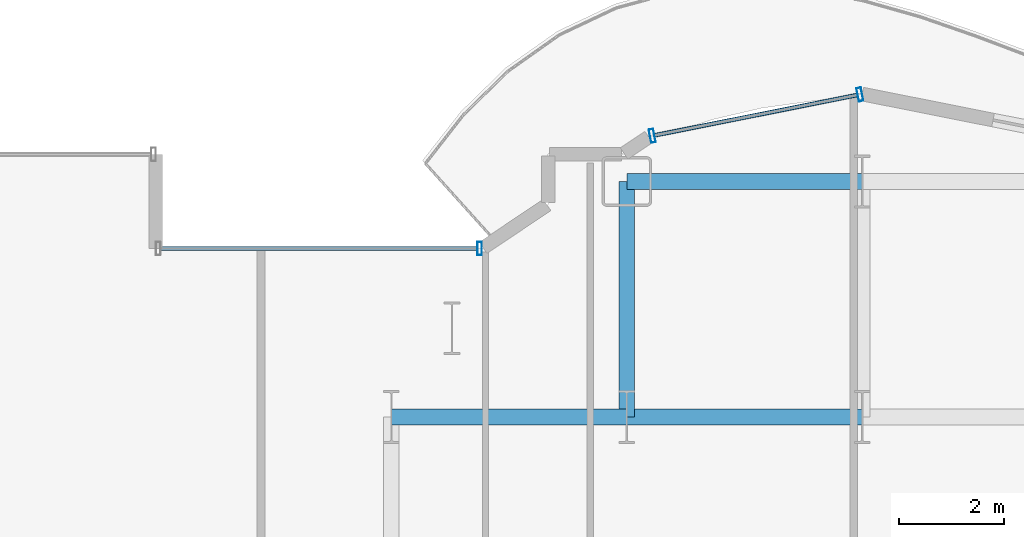
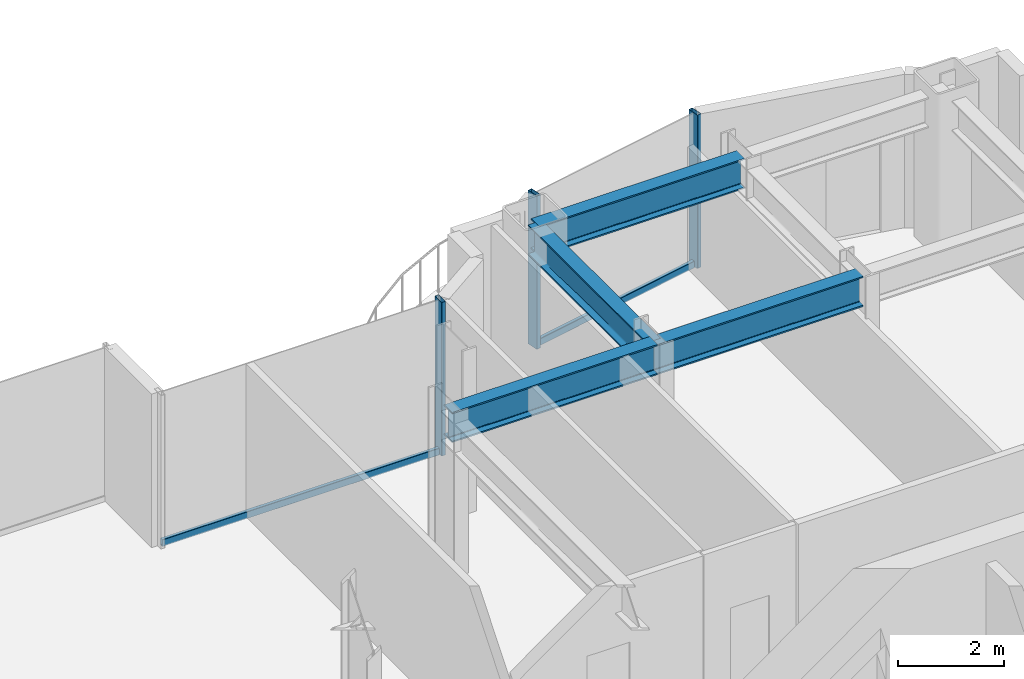
# One storey, part 13 of 29: 5 members, 4 beams, 2 elements without a shape of their own.
"""IFC4 building model written with IfcOpenShell, lengths in metres."""

import ifcopenshell
import ifcopenshell.guid

model = None  # the IFC model being written
_history = None  # IfcOwnerHistory: only IFC2X3 demands one
_inside = {}  # id of a spatial element -> (the spatial element, [elements in it])
_under = {}  # id of a project, library or spatial element -> (it, [spatial elements below it])
_declared = {}  # id of a project -> (the project, [libraries it declares])
_typed = {}  # id of a type object -> (the type object, [elements of that type])
_made_of = {}  # id of a material, layer set ... -> (it, [elements and type objects made of it])


def new_model(schema):
    """Start an empty IFC model of exactly this schema.

    Asked for "IFC4X3", IfcOpenShell would pick the latest addendum, in which some entities
    have other attributes; the version numbers below select the first issue.
    IFC2X3 requires an IfcOwnerHistory on every rooted entity: one is made here for all.
    """
    global model, _history
    if schema == "IFC4X3":
        model = ifcopenshell.file(schema_version=(4, 3, 0, 0))
    else:
        model = ifcopenshell.file(schema=schema)
    _inside.clear()
    _under.clear()
    _declared.clear()
    _typed.clear()
    _made_of.clear()
    _history = None
    if model.schema == "IFC2X3":
        org = make("IfcOrganization", Name="unknown")
        user = make(
            "IfcPersonAndOrganization",
            ThePerson=make("IfcPerson", FamilyName="unknown"),
            TheOrganization=org,
        )
        app = make(
            "IfcApplication",
            ApplicationDeveloper=org,
            Version="unknown",
            ApplicationFullName="unknown",
            ApplicationIdentifier="unknown",
        )
        _history = make(
            "IfcOwnerHistory",
            OwningUser=user,
            OwningApplication=app,
            ChangeAction="ADDED",
            CreationDate=0,
        )
    return model


def make(cls, **values):
    """One entity of the class cls with the attributes given. An attribute that is None is left unset."""
    return model.create_entity(
        cls, **{name: value for name, value in values.items() if value is not None}
    )


def rooted(cls, **values):
    """An entity with a GlobalId (a new one), such as an element, a storey or a relation."""
    return make(cls, GlobalId=ifcopenshell.guid.new(), OwnerHistory=_history, **values)


def si_unit(unit_type, name, prefix=None):
    """IfcSIUnit, for example si_unit("LENGTHUNIT", "METRE", prefix="MILLI")."""
    return make("IfcSIUnit", UnitType=unit_type, Prefix=prefix, Name=name)


def assignment(units):
    """IfcUnitAssignment: the units of a project."""
    return None if units is None else make("IfcUnitAssignment", Units=units)


def point(xyz):
    """IfcCartesianPoint."""
    return None if xyz is None else make("IfcCartesianPoint", Coordinates=xyz)


def direction(xyz):
    """IfcDirection."""
    return None if xyz is None else make("IfcDirection", DirectionRatios=xyz)


def frame(location, z_axis=None, x_axis=None):
    """IfcAxis2Placement3D, a coordinate frame: its origin and axes. An axis left out is left unset."""
    return make(
        "IfcAxis2Placement3D",
        Location=point(location),
        Axis=direction(z_axis),
        RefDirection=direction(x_axis),
    )


def frame_2d(location, x_axis=None):
    """IfcAxis2Placement2D, a coordinate frame in the plane: its origin and x axis."""
    return make(
        "IfcAxis2Placement2D", Location=point(location), RefDirection=direction(x_axis)
    )


def origin():
    """The frame at (0, 0, 0) with its axes left unset."""
    return frame((0.0, 0.0, 0.0))


def origin_2d():
    """The frame at (0, 0) in the plane with its x axis left unset."""
    return frame_2d((0.0, 0.0))


def place(relative_to, where):
    """IfcLocalPlacement: puts the frame where relative to a parent placement (None: the world)."""
    return make(
        "IfcLocalPlacement", PlacementRelTo=relative_to, RelativePlacement=where
    )


def context(
    kind, dimensions, precision=None, world=None, true_north=None, identifier=None
):
    """IfcGeometricRepresentationContext, for example the 3D "Model" context."""
    return make(
        "IfcGeometricRepresentationContext",
        ContextIdentifier=identifier,
        ContextType=kind,
        CoordinateSpaceDimension=dimensions,
        Precision=precision,
        WorldCoordinateSystem=world,
        TrueNorth=true_north,
    )


def subcontext(parent, identifier, kind, view, scale=None):
    """IfcGeometricRepresentationSubContext, for example "Body" below "Model"."""
    return make(
        "IfcGeometricRepresentationSubContext",
        ContextIdentifier=identifier,
        ContextType=kind,
        ParentContext=parent,
        TargetScale=scale,
        TargetView=view,
    )


def project(units=None, contexts=None):
    """IfcProject with its units and contexts."""
    return rooted(
        "IfcProject",
        Name="project",
        RepresentationContexts=contexts,
        UnitsInContext=assignment(units),
    )


def spatial(cls, under=None, at=None, **own):
    """A site, building, storey or space (cls), placed at a placement, below another one or the project."""
    s = rooted(cls, ObjectPlacement=at, **own)
    if under is not None:
        _under.setdefault(under.id(), (under, []))[1].append(s)
    return s


def profile(cls, at=None, kind="AREA", **sizes):
    """A parametric profile (cls). Its sizes go by their IFC names, for example OverallWidth=200.0."""
    return make(cls, ProfileType=kind, Position=at, **sizes)


def hollow_rectangle(**sizes):
    """IfcRectangleHollowProfileDef."""
    return profile("IfcRectangleHollowProfileDef", **sizes)


def i_section(**sizes):
    """IfcIShapeProfileDef."""
    return profile("IfcIShapeProfileDef", **sizes)


def extrude(swept, where, along, depth):
    """IfcExtrudedAreaSolid: the profile swept, set in the frame where, extruded along a direction by depth."""
    return make(
        "IfcExtrudedAreaSolid",
        SweptArea=swept,
        Position=where,
        ExtrudedDirection=direction(along),
        Depth=depth,
    )


def shape(context_of_items, identifier, shape_type, items):
    """IfcShapeRepresentation: the items that make up one representation, for example the "Body"."""
    return make(
        "IfcShapeRepresentation",
        ContextOfItems=context_of_items,
        RepresentationIdentifier=identifier,
        RepresentationType=shape_type,
        Items=items,
    )


def source(mapping_origin, context_of_items, identifier, shape_type, items):
    """IfcRepresentationMap: a shape defined once, which mapped items show again and again."""
    return make(
        "IfcRepresentationMap",
        MappingOrigin=mapping_origin,
        MappedRepresentation=shape(context_of_items, identifier, shape_type, items),
    )


def transform(
    local_origin,
    x_axis=None,
    y_axis=None,
    z_axis=None,
    scale=None,
    scale2=None,
    scale3=None,
    uniform=True,
):
    """IfcCartesianTransformationOperator3D, or its non-uniform kind. x_axis, y_axis, z_axis: its Axis1, 2, 3."""
    if uniform:
        return make(
            "IfcCartesianTransformationOperator3D",
            Axis1=direction(x_axis),
            Axis2=direction(y_axis),
            LocalOrigin=point(local_origin),
            Scale=scale,
            Axis3=direction(z_axis),
        )
    return make(
        "IfcCartesianTransformationOperator3DnonUniform",
        Axis1=direction(x_axis),
        Axis2=direction(y_axis),
        LocalOrigin=point(local_origin),
        Scale=scale,
        Axis3=direction(z_axis),
        Scale2=scale2,
        Scale3=scale3,
    )


def mapped(mapping_source, mapping_target):
    """IfcMappedItem: shows the shape of a source again, moved by a transform."""
    return make(
        "IfcMappedItem", MappingSource=mapping_source, MappingTarget=mapping_target
    )


def material(Name=None, Category=None):
    """IfcMaterial."""
    return make("IfcMaterial", Name=Name, Category=Category)


def layer(
    of_material, thickness, ventilated=None, Name=None, Category=None, Priority=None
):
    """IfcMaterialLayer: one layer of a wall or slab, of a material (None: an air gap)."""
    return make(
        "IfcMaterialLayer",
        Material=of_material,
        LayerThickness=thickness,
        IsVentilated=ventilated,
        Name=Name,
        Category=Category,
        Priority=Priority,
    )


def layer_set(layers, Name=None):
    """IfcMaterialLayerSet."""
    return make("IfcMaterialLayerSet", MaterialLayers=layers, LayerSetName=Name)


def material_profile(
    of_material, cross_section, Name=None, Category=None, Priority=None
):
    """IfcMaterialProfile: a cross section and its material."""
    return make(
        "IfcMaterialProfile",
        Name=Name,
        Material=of_material,
        Profile=cross_section,
        Priority=Priority,
        Category=Category,
    )


def profile_set(profiles, Name=None, composite=None):
    """IfcMaterialProfileSet."""
    return make(
        "IfcMaterialProfileSet",
        Name=Name,
        MaterialProfiles=profiles,
        CompositeProfile=composite,
    )


def made_of(thing, what):
    """Note that an element or type object is made of a material, layer set ...; save() writes the relation."""
    if what is not None:
        _made_of.setdefault(what.id(), (what, []))[1].append(thing)
    return thing


def type_object(cls, material=None, **own):
    """A type object (cls), such as IfcWallType, which elements share."""
    return made_of(rooted(cls, **own), material)


def element(
    cls,
    number,
    at=None,
    inside=None,
    cuts=None,
    type_object=None,
    material=None,
    context=None,
    identifier="Body",
    shape_type=None,
    held_by="IfcProductDefinitionShape",
    body=None,
    shapes=None,
    **own,
):
    """One element of the class cls, such as IfcWall. Its Tag is "e" and its number.

    at: its placement. inside: the storey or other place that contains it. cuts: it is an
    opening in that element (IfcRelVoidsElement). A single representation is given by context,
    identifier, shape_type and body (its items); several are given by shapes. held_by: the class
    of the entity that holds the representations. save() writes the other relations.
    """
    e = rooted(cls, Tag="e%d" % number, ObjectPlacement=at, **own)
    if body is not None:
        shapes = [shape(context, identifier, shape_type, body)]
    if shapes is not None:
        e.Representation = make(held_by, Representations=shapes)
    if inside is not None:
        _inside.setdefault(inside.id(), (inside, []))[1].append(e)
    if cuts is not None:
        rooted(
            "IfcRelVoidsElement", RelatingBuildingElement=cuts, RelatedOpeningElement=e
        )
    if type_object is not None:
        _typed.setdefault(type_object.id(), (type_object, []))[1].append(e)
    return made_of(e, material)


def aggregate(whole, parts):
    """IfcRelAggregates: a whole, such as a stair, and the parts it consists of."""
    return rooted("IfcRelAggregates", RelatingObject=whole, RelatedObjects=parts)


def save(model, path):
    """Write the relations noted so far, then the file.

    IfcRelAggregates (storeys below a building ...), IfcRelContainedInSpatialStructure (elements
    in a storey), IfcRelDefinesByType, IfcRelAssociatesMaterial and IfcRelDeclares: one each for
    every whole, place, type object, material and project.
    """
    for whole, parts in _under.values():
        aggregate(whole, parts)
    for where, things in _inside.values():
        rooted(
            "IfcRelContainedInSpatialStructure",
            RelatedElements=things,
            RelatingStructure=where,
        )
    for kind, things in _typed.values():
        rooted("IfcRelDefinesByType", RelatedObjects=things, RelatingType=kind)
    for what, things in _made_of.values():
        rooted("IfcRelAssociatesMaterial", RelatedObjects=things, RelatingMaterial=what)
    for by, libraries in _declared.values():
        rooted("IfcRelDeclares", RelatingContext=by, RelatedDefinitions=libraries)
    model.write(path)


model = new_model("IFC4")

# Units and contexts
model_context = context("Model", 3, precision=1e-05, world=origin(), true_north=direction((0.0, 1.0)))
body_context = subcontext(model_context, "Body", "Model", "MODEL_VIEW")
ifc_project = project(units=[si_unit("LENGTHUNIT", "METRE"), si_unit("AREAUNIT", "SQUARE_METRE"), si_unit("VOLUMEUNIT", "CUBIC_METRE"), si_unit("PLANEANGLEUNIT", "RADIAN"), si_unit("MASSUNIT", "GRAM", prefix="KILO")], contexts=[model_context])

# Site, building, storey
site_placement = place(None, origin())
site = spatial("IfcSite", under=ifc_project, at=site_placement, CompositionType="ELEMENT")
building_placement = place(site_placement, origin())
building = spatial("IfcBuilding", under=site, at=building_placement, Name="Nefas-Gora Pilgrimage Tower", CompositionType="ELEMENT")
storey_placement = place(building_placement, frame((0.0, 0.0, 90.800048828125)))
storey = spatial("IfcBuildingStorey", under=building, at=storey_placement, Name="L21", CompositionType="ELEMENT", Elevation=90.800048828125)

# Beams
ifc_material_1 = material(Name="Steel S355", Category="steel")
ifc_material_profile_1 = material_profile(ifc_material_1, i_section(OverallWidth=0.300048828125, OverallDepth=0.699951171875, WebThickness=0.01708984375, FlangeThickness=0.031982421875, FilletRadius=0.027099609375, at=origin_2d()), Name="HEB 700")
ifc_profile_set_1 = profile_set([ifc_material_profile_1], Name="Steel S355")
beam_type = type_object("IfcBeamType", Name="BM-GIR-HEB700", PredefinedType="BEAM", material=ifc_profile_set_1)
shared_shape_1 = source(origin(), body_context, "Body", "SweptSolid", [
    extrude(i_section(OverallWidth=0.300048828125, OverallDepth=0.699951171875, WebThickness=0.01708984375, FlangeThickness=0.031982421875, FilletRadius=0.027099609375, at=origin_2d()), origin(), (0.0, 0.0, 1.0), 4.5),
])
for number, where, z_axis, x_axis, name in (
    (1, (-11.25, 18.0, 3.199951171875), (1.0, 0.0, 0.0), (0.0, 1.0, 0.0), "L21 G-02 beam"),
    (2, (-6.75, 18.0, 3.199951171875), (0.0, 1.0, 0.0), (-1.0, 0.0, 0.0), "L21 G-02 beam"),
    (3, (-6.75, 18.0, 3.199951171875), (1.0, 0.0, 0.0), (0.0, 1.0, 0.0), "L21 G-02 beam"),
    (4, (-6.75, 22.5, 3.199951171875), (1.0, 0.0, 0.0), (0.0, 1.0, 0.0), "L21 G-02 beam"),
):
    element("IfcBeam", number, at=place(storey_placement, frame(where, z_axis=z_axis, x_axis=x_axis)), inside=storey, type_object=beam_type, Name=name, PredefinedType="BEAM", context=body_context, shape_type="MappedRepresentation", body=[
        mapped(shared_shape_1, transform((0.0, 0.0, 0.0), x_axis=(1.0, 0.0, 0.0), y_axis=(0.0, 1.0, 0.0), z_axis=(0.0, 0.0, 1.0), scale=1.0)),
    ])

# Curtain wall, members
ifc_material_2 = material(Name="Dark ceramic-fritted solar-control aluminium-glass curtain wall", Category="aluminium")
ifc_layer = layer(ifc_material_2, 0.219970703125)
ifc_layer_set = layer_set([ifc_layer], Name="Dark ceramic-fritted solar-control aluminium-glass curtain wall")
curtain_wall_type = type_object("IfcCurtainWallType", Name="CW-SYS-5", PredefinedType="NOTDEFINED", material=ifc_layer_set)
curtain_wall_1_placement = place(storey_placement, origin())
curtain_wall_1 = element("IfcCurtainWall", 5, at=curtain_wall_1_placement, inside=storey, type_object=curtain_wall_type, Name="L21 Unitised Curtain Wall CW5", PredefinedType="NOTDEFINED")
ifc_material_3 = material(Name="Anodised architectural aluminium", Category="aluminium")
ifc_material_profile_2 = material_profile(ifc_material_3, hollow_rectangle(XDim=0.090087890625, YDim=0.260009765625, WallThickness=0.006103515625, InnerFilletRadius=0.006103515625, OuterFilletRadius=0.011962890625, at=origin_2d()), Name="ALU MULLION 90x260")
ifc_profile_set_2 = profile_set([ifc_material_profile_2], Name="Anodised architectural aluminium")
member_type_1 = type_object("IfcMemberType", Name="CWM-MUL-5", PredefinedType="MULLION", material=ifc_profile_set_2)
shared_shape_2 = source(origin(), body_context, "Body", "SweptSolid", [
    extrude(hollow_rectangle(XDim=0.090087890625, YDim=0.260009765625, WallThickness=0.006103515625, InnerFilletRadius=0.006103515625, OuterFilletRadius=0.011962890625, at=origin_2d()), origin(), (0.0, 0.0, 1.0), 3.550048828125),
])
member_1_placement = place(storey_placement, frame((-2.294189453125, 24.16357421875, 0.0), z_axis=(0.0, 0.0, 1.0), x_axis=(-0.980782896852, -0.195102304554, 0.0)))
member_1 = element("IfcMember", 6, at=member_1_placement, type_object=member_type_1, Name="CW5 Mullion 1", PredefinedType="MULLION", context=body_context, shape_type="MappedRepresentation", body=[
    mapped(shared_shape_2, transform((0.0, 0.0, 0.0), x_axis=(1.0, 0.0, 0.0), y_axis=(0.0, 1.0, 0.0), z_axis=(0.0, 0.0, 1.0), scale=1.0)),
])
member_2_placement = place(storey_placement, frame((-6.26318359375, 23.3740234375, 0.0), z_axis=(0.0, 0.0, 1.0), x_axis=(-0.980782896852, -0.195102304554, 0.0)))
member_2 = element("IfcMember", 7, at=member_2_placement, type_object=member_type_1, Name="CW5 Mullion 2", PredefinedType="MULLION", context=body_context, shape_type="MappedRepresentation", body=[
    mapped(shared_shape_2, transform((0.0, 0.0, 0.0), x_axis=(1.0, 0.0, 0.0), y_axis=(0.0, 1.0, 0.0), z_axis=(0.0, 0.0, 1.0), scale=1.0)),
])

curtain_wall_2_placement = place(storey_placement, origin())
curtain_wall_2 = element("IfcCurtainWall", 8, at=curtain_wall_2_placement, inside=storey, type_object=curtain_wall_type, Name="L21 Unitised Curtain Wall CW5", PredefinedType="NOTDEFINED")
member_3_placement = place(storey_placement, frame((-9.56298828125, 21.219970703125, 0.0), z_axis=(0.0, 0.0, 1.0), x_axis=(-1.0, 0.0, 0.0)))
member_3 = element("IfcMember", 9, at=member_3_placement, type_object=member_type_1, Name="CW5 Mullion 1", PredefinedType="MULLION", context=body_context, shape_type="MappedRepresentation", body=[
    mapped(shared_shape_2, transform((0.0, 0.0, 0.0), x_axis=(1.0, 0.0, 0.0), y_axis=(0.0, 1.0, 0.0), z_axis=(0.0, 0.0, 1.0), scale=1.0)),
])
ifc_material_profile_3 = material_profile(ifc_material_3, hollow_rectangle(XDim=0.080078125, YDim=0.159912109375, WallThickness=0.00439453125, InnerFilletRadius=0.00439453125, OuterFilletRadius=0.009033203125, at=origin_2d()), Name="ALU TRANSOM 80x160")
ifc_profile_set_3 = profile_set([ifc_material_profile_3], Name="Anodised architectural aluminium")
member_type_2 = type_object("IfcMemberType", Name="CWM-TRN-5", PredefinedType="USERDEFINED", material=ifc_profile_set_3)
shared_shape_3 = source(origin(), body_context, "Body", "SweptSolid", [
    extrude(hollow_rectangle(XDim=0.080078125, YDim=0.159912109375, WallThickness=0.00439453125, InnerFilletRadius=0.00439453125, OuterFilletRadius=0.009033203125, at=origin_2d()), origin(), (0.0, 0.0, 1.0), 6.052001953125),
])
member_4_placement = place(storey_placement, frame((-9.60791015625, 21.219970703125, 0.050048828125), z_axis=(-1.0, 0.0, 0.0), x_axis=(0.0, -1.0, 0.0)))
member_4 = element("IfcMember", 10, at=member_4_placement, type_object=member_type_2, Name="CW5 Spandrel Transom", ObjectType="TRANSOM", PredefinedType="USERDEFINED", context=body_context, shape_type="MappedRepresentation", body=[
    mapped(shared_shape_3, transform((0.0, 0.0, 0.0), x_axis=(1.0, 0.0, 0.0), y_axis=(0.0, 1.0, 0.0), z_axis=(0.0, 0.0, 1.0), scale=1.0)),
])
aggregate(curtain_wall_2, [member_3, member_4])

# Member
shared_shape_4 = source(origin(), body_context, "Body", "SweptSolid", [
    extrude(hollow_rectangle(XDim=0.080078125, YDim=0.159912109375, WallThickness=0.00439453125, InnerFilletRadius=0.00439453125, OuterFilletRadius=0.009033203125, at=origin_2d()), origin(), (0.0, 0.0, 1.0), 3.95654296875),
])
member_5_placement = place(storey_placement, frame((-2.33837890625, 24.15478515625, 0.050048828125), z_axis=(-0.980781880918, -0.195107411605, 0.0), x_axis=(0.195107411605, -0.980781880918, 0.0)))
member_5 = element("IfcMember", 11, at=member_5_placement, type_object=member_type_2, Name="CW5 Spandrel Transom", ObjectType="TRANSOM", PredefinedType="USERDEFINED", context=body_context, shape_type="MappedRepresentation", body=[
    mapped(shared_shape_4, transform((0.0, 0.0, 0.0), x_axis=(1.0, 0.0, 0.0), y_axis=(0.0, 1.0, 0.0), z_axis=(0.0, 0.0, 1.0), scale=1.0)),
])

aggregate(curtain_wall_1, [member_1, member_2, member_5])

save(model, "model.ifc")
